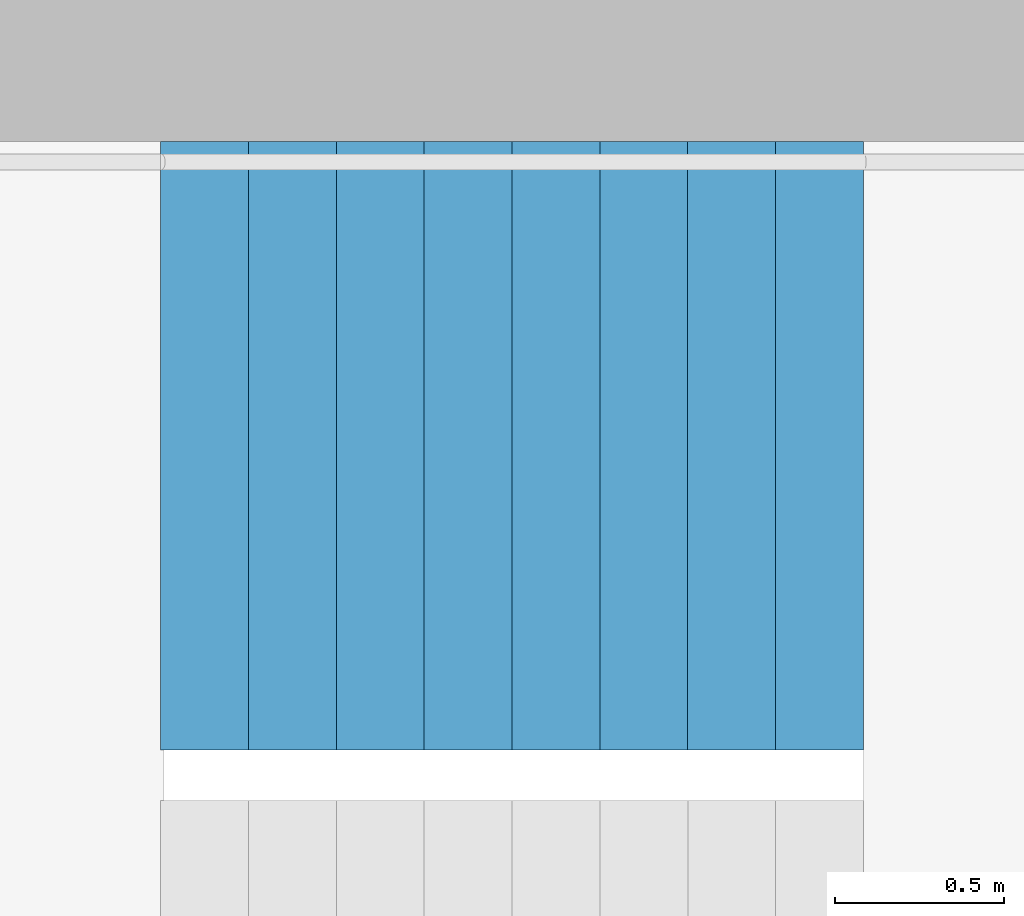
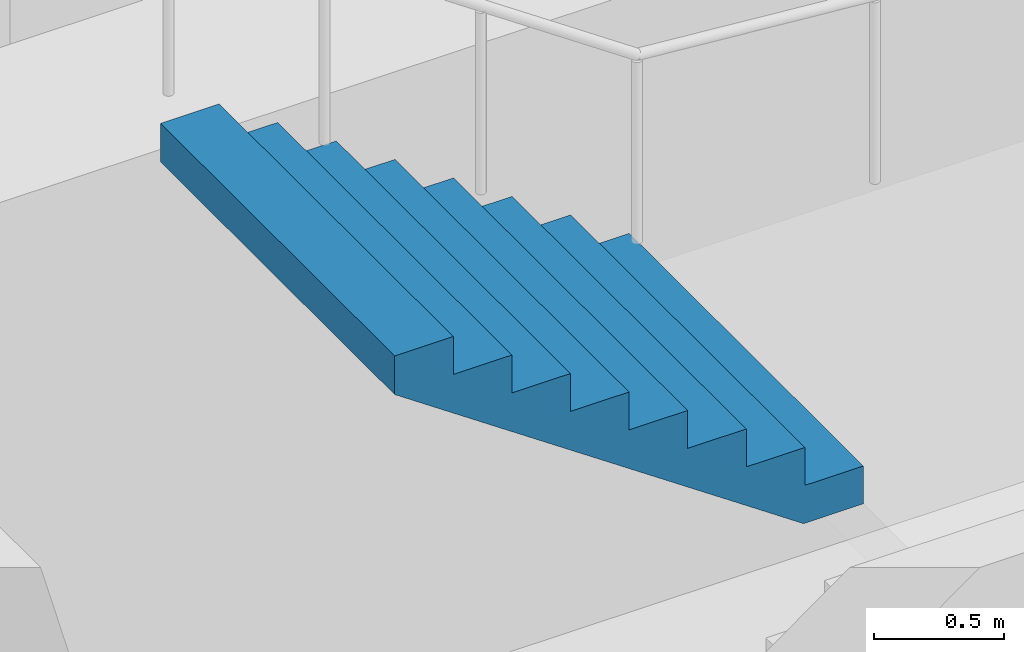
# One storey, part 24 of 29: 1 stair flight, 1 element without a shape of its own.
"""IFC4 building model written with IfcOpenShell, lengths in metres."""

from ifc_helpers import new_model, si_unit, direction, frame, origin, place, context, subcontext, project, spatial, triangles, material, type_object, element, aggregate, save


model = new_model("IFC4")

# Units and contexts
model_context = context("Model", 3, precision=1e-05, world=origin(), true_north=direction((0.0, 1.0)))
body_context = subcontext(model_context, "Body", "Model", "MODEL_VIEW")
ifc_project = project(units=[si_unit("LENGTHUNIT", "METRE"), si_unit("AREAUNIT", "SQUARE_METRE"), si_unit("VOLUMEUNIT", "CUBIC_METRE"), si_unit("PLANEANGLEUNIT", "RADIAN"), si_unit("MASSUNIT", "GRAM", prefix="KILO")], contexts=[model_context])

# Site, building, storey
site_placement = place(None, origin())
site = spatial("IfcSite", under=ifc_project, at=site_placement, CompositionType="ELEMENT")
building_placement = place(site_placement, origin())
building = spatial("IfcBuilding", under=site, at=building_placement, Name="Hakoniwa Tower and Hamabe Station Hall", CompositionType="ELEMENT")
storey_placement = place(building_placement, frame((0.0, 0.0, 117.0)))
storey = spatial("IfcBuildingStorey", under=building, at=storey_placement, Name="L33", CompositionType="ELEMENT", Elevation=117.0)

# Stair, stair flight
ifc_material_1 = material(Name="Concrete C40", Category="concrete")
stair_type = type_object("IfcStairType", Name="ESCAPE STAIR 1800", PredefinedType="HALF_TURN_STAIR", material=ifc_material_1)
stair_placement = place(storey_placement, origin())
stair = element("IfcStair", 1, at=stair_placement, inside=storey, type_object=stair_type, Name="Escape stair ST-1 L33", PredefinedType="HALF_TURN_STAIR")
ifc_material_2 = material(Name="Concrete C40", Category="concrete")
stair_flight_type = type_object("IfcStairFlightType", Name="STAIR FLIGHT 1800", PredefinedType="STRAIGHT", material=ifc_material_2)
stair_flight_placement = place(storey_placement, frame((-22.320068359375, 6.60009765625, 1.60009765625), z_axis=(0.0, 0.0, 1.0), x_axis=(-1.0, 0.0, 0.0)))
stair_flight = element("IfcStairFlight", 2, at=stair_flight_placement, type_object=stair_flight_type, Name="ST-1 flight 2", NumberOfRisers=9, NumberOfTreads=8, PredefinedType="STRAIGHT", RiserHeight=0.177777778, TreadLength=0.26, context=body_context, shape_type="Tessellation", body=[
    triangles([(0.0, 0.89990234375, 0.0), (0.260009765625, 0.89990234375, 0.0), (0.265625, 0.89990234375, 0.0), (0.52001953125, 0.89990234375, 0.174072265625), (0.780029296875, 0.89990234375, 0.351806640625), (1.0400390625, 0.89990234375, 0.529541015625), (1.300048828125, 0.89990234375, 0.707275390625), (1.56005859375, 0.89990234375, 0.885009765625), (1.820068359375, 0.89990234375, 1.062744140625), (2.080078125, 0.89990234375, 1.24072265625), (2.080078125, 0.89990234375, 1.422119140625), (1.820068359375, 0.89990234375, 1.422119140625), (1.820068359375, 0.89990234375, 1.244384765625), (1.56005859375, 0.89990234375, 1.244384765625), (1.56005859375, 0.89990234375, 1.066650390625), (1.300048828125, 0.89990234375, 1.066650390625), (1.300048828125, 0.89990234375, 0.888916015625), (1.0400390625, 0.89990234375, 0.888916015625), (1.0400390625, 0.89990234375, 0.711181640625), (0.780029296875, 0.89990234375, 0.711181640625), (0.780029296875, 0.89990234375, 0.533447265625), (0.52001953125, 0.89990234375, 0.533447265625), (0.52001953125, 0.89990234375, 0.35546875), (0.265625, 0.89990234375, 0.35546875), (0.260009765625, 0.89990234375, 0.35546875), (0.260009765625, 0.89990234375, 0.177734375), (0.0, 0.89990234375, 0.177734375), (0.0, 0.06005859375, 0.0), (0.260009765625, 0.06005859375, 0.0), (0.265625, 0.06005859375, 0.0), (0.52001953125, 0.06005859375, 0.174072265625), (0.780029296875, 0.06005859375, 0.351806640625), (1.0400390625, 0.06005859375, 0.529541015625), (1.300048828125, 0.06005859375, 0.707275390625), (1.56005859375, 0.06005859375, 0.885009765625), (1.820068359375, 0.06005859375, 1.062744140625), (2.080078125, 0.06005859375, 1.24072265625), (2.080078125, 0.06005859375, 1.422119140625), (1.820068359375, 0.06005859375, 1.422119140625), (1.820068359375, 0.06005859375, 1.244384765625), (1.56005859375, 0.06005859375, 1.244384765625), (1.56005859375, 0.06005859375, 1.066650390625), (1.300048828125, 0.06005859375, 1.066650390625), (1.300048828125, 0.06005859375, 0.888916015625), (1.0400390625, 0.06005859375, 0.888916015625), (1.0400390625, 0.06005859375, 0.711181640625), (0.780029296875, 0.06005859375, 0.711181640625), (0.780029296875, 0.06005859375, 0.533447265625), (0.52001953125, 0.06005859375, 0.533447265625), (0.52001953125, 0.06005859375, 0.35546875), (0.265625, 0.06005859375, 0.35546875), (0.260009765625, 0.06005859375, 0.35546875), (0.260009765625, 0.06005859375, 0.177734375), (0.0, 0.06005859375, 0.177734375), (0.0, 0.04296875, 0.0), (0.260009765625, 0.04296875, 0.0), (0.265625, 0.04296875, 0.0), (0.52001953125, 0.04296875, 0.174072265625), (0.780029296875, 0.04296875, 0.351806640625), (1.0400390625, 0.04296875, 0.529541015625), (1.300048828125, 0.04296875, 0.707275390625), (1.56005859375, 0.04296875, 0.885009765625), (1.820068359375, 0.04296875, 1.062744140625), (2.080078125, 0.04296875, 1.24072265625), (2.080078125, 0.04296875, 1.422119140625), (1.820068359375, 0.04296875, 1.422119140625), (1.820068359375, 0.04296875, 1.244384765625), (1.56005859375, 0.04296875, 1.244384765625), (1.56005859375, 0.04296875, 1.066650390625), (1.300048828125, 0.04296875, 1.066650390625), (1.300048828125, 0.04296875, 0.888916015625), (1.0400390625, 0.04296875, 0.888916015625), (1.0400390625, 0.04296875, 0.711181640625), (0.780029296875, 0.04296875, 0.711181640625), (0.780029296875, 0.04296875, 0.533447265625), (0.52001953125, 0.04296875, 0.533447265625), (0.52001953125, 0.04296875, 0.35546875), (0.265625, 0.04296875, 0.35546875), (0.260009765625, 0.04296875, 0.35546875), (0.260009765625, 0.04296875, 0.177734375), (0.0, 0.04296875, 0.177734375), (0.0, 0.025634765625, 0.0), (0.260009765625, 0.025634765625, 0.0), (0.265625, 0.025634765625, 0.0), (0.52001953125, 0.025634765625, 0.174072265625), (0.780029296875, 0.025634765625, 0.351806640625), (1.0400390625, 0.025634765625, 0.529541015625), (1.300048828125, 0.025634765625, 0.707275390625), (1.56005859375, 0.025634765625, 0.885009765625), (1.820068359375, 0.025634765625, 1.062744140625), (2.080078125, 0.025634765625, 1.24072265625), (2.080078125, 0.025634765625, 1.422119140625), (1.820068359375, 0.025634765625, 1.422119140625), (1.820068359375, 0.025634765625, 1.244384765625), (1.56005859375, 0.025634765625, 1.244384765625), (1.56005859375, 0.025634765625, 1.066650390625), (1.300048828125, 0.025634765625, 1.066650390625), (1.300048828125, 0.025634765625, 0.888916015625), (1.0400390625, 0.025634765625, 0.888916015625), (1.0400390625, 0.025634765625, 0.711181640625), (0.780029296875, 0.025634765625, 0.711181640625), (0.780029296875, 0.025634765625, 0.533447265625), (0.52001953125, 0.025634765625, 0.533447265625), (0.52001953125, 0.025634765625, 0.35546875), (0.265625, 0.025634765625, 0.35546875), (0.260009765625, 0.025634765625, 0.35546875), (0.260009765625, 0.025634765625, 0.177734375), (0.0, 0.025634765625, 0.177734375), (0.0, 0.008544921875, 0.0), (0.260009765625, 0.008544921875, 0.0), (0.265625, 0.008544921875, 0.0), (0.52001953125, 0.008544921875, 0.174072265625), (0.780029296875, 0.008544921875, 0.351806640625), (1.0400390625, 0.008544921875, 0.529541015625), (1.300048828125, 0.008544921875, 0.707275390625), (1.56005859375, 0.008544921875, 0.885009765625), (1.820068359375, 0.008544921875, 1.062744140625), (2.080078125, 0.008544921875, 1.24072265625), (2.080078125, 0.008544921875, 1.422119140625), (1.820068359375, 0.008544921875, 1.422119140625), (1.820068359375, 0.008544921875, 1.244384765625), (1.56005859375, 0.008544921875, 1.244384765625), (1.56005859375, 0.008544921875, 1.066650390625), (1.300048828125, 0.008544921875, 1.066650390625), (1.300048828125, 0.008544921875, 0.888916015625), (1.0400390625, 0.008544921875, 0.888916015625), (1.0400390625, 0.008544921875, 0.711181640625), (0.780029296875, 0.008544921875, 0.711181640625), (0.780029296875, 0.008544921875, 0.533447265625), (0.52001953125, 0.008544921875, 0.533447265625), (0.52001953125, 0.008544921875, 0.35546875), (0.265625, 0.008544921875, 0.35546875), (0.260009765625, 0.008544921875, 0.35546875), (0.260009765625, 0.008544921875, 0.177734375), (0.0, 0.008544921875, 0.177734375), (0.0, -0.008544921875, 0.0), (0.260009765625, -0.008544921875, 0.0), (0.265625, -0.008544921875, 0.0), (0.52001953125, -0.008544921875, 0.174072265625), (0.780029296875, -0.008544921875, 0.351806640625), (1.0400390625, -0.008544921875, 0.529541015625), (1.300048828125, -0.008544921875, 0.707275390625), (1.56005859375, -0.008544921875, 0.885009765625), (1.820068359375, -0.008544921875, 1.062744140625), (2.080078125, -0.008544921875, 1.24072265625), (2.080078125, -0.008544921875, 1.422119140625), (1.820068359375, -0.008544921875, 1.422119140625), (1.820068359375, -0.008544921875, 1.244384765625), (1.56005859375, -0.008544921875, 1.244384765625), (1.56005859375, -0.008544921875, 1.066650390625), (1.300048828125, -0.008544921875, 1.066650390625), (1.300048828125, -0.008544921875, 0.888916015625), (1.0400390625, -0.008544921875, 0.888916015625), (1.0400390625, -0.008544921875, 0.711181640625), (0.780029296875, -0.008544921875, 0.711181640625), (0.780029296875, -0.008544921875, 0.533447265625), (0.52001953125, -0.008544921875, 0.533447265625), (0.52001953125, -0.008544921875, 0.35546875), (0.265625, -0.008544921875, 0.35546875), (0.260009765625, -0.008544921875, 0.35546875), (0.260009765625, -0.008544921875, 0.177734375), (0.0, -0.008544921875, 0.177734375), (0.0, -0.025634765625, 0.0), (0.260009765625, -0.025634765625, 0.0), (0.265625, -0.025634765625, 0.0), (0.52001953125, -0.025634765625, 0.174072265625), (0.780029296875, -0.025634765625, 0.351806640625), (1.0400390625, -0.025634765625, 0.529541015625), (1.300048828125, -0.025634765625, 0.707275390625), (1.56005859375, -0.025634765625, 0.885009765625), (1.820068359375, -0.025634765625, 1.062744140625), (2.080078125, -0.025634765625, 1.24072265625), (2.080078125, -0.025634765625, 1.422119140625), (1.820068359375, -0.025634765625, 1.422119140625), (1.820068359375, -0.025634765625, 1.244384765625), (1.56005859375, -0.025634765625, 1.244384765625), (1.56005859375, -0.025634765625, 1.066650390625), (1.300048828125, -0.025634765625, 1.066650390625), (1.300048828125, -0.025634765625, 0.888916015625), (1.0400390625, -0.025634765625, 0.888916015625), (1.0400390625, -0.025634765625, 0.711181640625), (0.780029296875, -0.025634765625, 0.711181640625), (0.780029296875, -0.025634765625, 0.533447265625), (0.52001953125, -0.025634765625, 0.533447265625), (0.52001953125, -0.025634765625, 0.35546875), (0.265625, -0.025634765625, 0.35546875), (0.260009765625, -0.025634765625, 0.35546875), (0.260009765625, -0.025634765625, 0.177734375), (0.0, -0.025634765625, 0.177734375), (0.0, -0.04296875, 0.0), (0.260009765625, -0.04296875, 0.0), (0.265625, -0.04296875, 0.0), (0.52001953125, -0.04296875, 0.174072265625), (0.780029296875, -0.04296875, 0.351806640625), (1.0400390625, -0.04296875, 0.529541015625), (1.300048828125, -0.04296875, 0.707275390625), (1.56005859375, -0.04296875, 0.885009765625), (1.820068359375, -0.04296875, 1.062744140625), (2.080078125, -0.04296875, 1.24072265625), (2.080078125, -0.04296875, 1.422119140625), (1.820068359375, -0.04296875, 1.422119140625), (1.820068359375, -0.04296875, 1.244384765625), (1.56005859375, -0.04296875, 1.244384765625), (1.56005859375, -0.04296875, 1.066650390625), (1.300048828125, -0.04296875, 1.066650390625), (1.300048828125, -0.04296875, 0.888916015625), (1.0400390625, -0.04296875, 0.888916015625), (1.0400390625, -0.04296875, 0.711181640625), (0.780029296875, -0.04296875, 0.711181640625), (0.780029296875, -0.04296875, 0.533447265625), (0.52001953125, -0.04296875, 0.533447265625), (0.52001953125, -0.04296875, 0.35546875), (0.265625, -0.04296875, 0.35546875), (0.260009765625, -0.04296875, 0.35546875), (0.260009765625, -0.04296875, 0.177734375), (0.0, -0.04296875, 0.177734375), (0.0, -0.06005859375, 0.0), (0.260009765625, -0.06005859375, 0.0), (0.265625, -0.06005859375, 0.0), (0.52001953125, -0.06005859375, 0.174072265625), (0.780029296875, -0.06005859375, 0.351806640625), (1.0400390625, -0.06005859375, 0.529541015625), (1.300048828125, -0.06005859375, 0.707275390625), (1.56005859375, -0.06005859375, 0.885009765625), (1.820068359375, -0.06005859375, 1.062744140625), (2.080078125, -0.06005859375, 1.24072265625), (2.080078125, -0.06005859375, 1.422119140625), (1.820068359375, -0.06005859375, 1.422119140625), (1.820068359375, -0.06005859375, 1.244384765625), (1.56005859375, -0.06005859375, 1.244384765625), (1.56005859375, -0.06005859375, 1.066650390625), (1.300048828125, -0.06005859375, 1.066650390625), (1.300048828125, -0.06005859375, 0.888916015625), (1.0400390625, -0.06005859375, 0.888916015625), (1.0400390625, -0.06005859375, 0.711181640625), (0.780029296875, -0.06005859375, 0.711181640625), (0.780029296875, -0.06005859375, 0.533447265625), (0.52001953125, -0.06005859375, 0.533447265625), (0.52001953125, -0.06005859375, 0.35546875), (0.265625, -0.06005859375, 0.35546875), (0.260009765625, -0.06005859375, 0.35546875), (0.260009765625, -0.06005859375, 0.177734375), (0.0, -0.06005859375, 0.177734375), (0.0, -0.89990234375, 0.0), (0.260009765625, -0.89990234375, 0.0), (0.265625, -0.89990234375, 0.0), (0.52001953125, -0.89990234375, 0.174072265625), (0.780029296875, -0.89990234375, 0.351806640625), (1.0400390625, -0.89990234375, 0.529541015625), (1.300048828125, -0.89990234375, 0.707275390625), (1.56005859375, -0.89990234375, 0.885009765625), (1.820068359375, -0.89990234375, 1.062744140625), (2.080078125, -0.89990234375, 1.24072265625), (2.080078125, -0.89990234375, 1.422119140625), (1.820068359375, -0.89990234375, 1.422119140625), (1.820068359375, -0.89990234375, 1.244384765625), (1.56005859375, -0.89990234375, 1.244384765625), (1.56005859375, -0.89990234375, 1.066650390625), (1.300048828125, -0.89990234375, 1.066650390625), (1.300048828125, -0.89990234375, 0.888916015625), (1.0400390625, -0.89990234375, 0.888916015625), (1.0400390625, -0.89990234375, 0.711181640625), (0.780029296875, -0.89990234375, 0.711181640625), (0.780029296875, -0.89990234375, 0.533447265625), (0.52001953125, -0.89990234375, 0.533447265625), (0.52001953125, -0.89990234375, 0.35546875), (0.265625, -0.89990234375, 0.35546875), (0.260009765625, -0.89990234375, 0.35546875), (0.260009765625, -0.89990234375, 0.177734375), (0.0, -0.89990234375, 0.177734375)], [[2, 27, 26], [245, 269, 270], [2, 1, 27], [245, 270, 244], [3, 25, 24], [246, 267, 268], [3, 26, 25], [246, 268, 269], [3, 2, 26], [246, 269, 245], [4, 24, 23], [247, 266, 267], [4, 3, 24], [247, 267, 246], [5, 22, 21], [248, 264, 265], [5, 23, 22], [248, 265, 266], [5, 4, 23], [248, 266, 247], [6, 20, 19], [249, 262, 263], [6, 21, 20], [249, 263, 264], [6, 5, 21], [249, 264, 248], [7, 18, 17], [250, 260, 261], [7, 19, 18], [250, 261, 262], [7, 6, 19], [250, 262, 249], [8, 16, 15], [251, 258, 259], [8, 17, 16], [251, 259, 260], [8, 7, 17], [251, 260, 250], [9, 14, 13], [252, 256, 257], [9, 15, 14], [252, 257, 258], [9, 8, 15], [252, 258, 251], [10, 12, 11], [253, 254, 255], [10, 13, 12], [253, 255, 256], [10, 9, 13], [253, 256, 252], [1, 2, 29], [1, 29, 28], [28, 29, 56], [28, 56, 55], [55, 56, 83], [55, 83, 82], [82, 83, 110], [82, 110, 109], [109, 110, 137], [109, 137, 136], [136, 137, 164], [136, 164, 163], [163, 164, 191], [163, 191, 190], [190, 191, 218], [190, 218, 217], [217, 218, 245], [217, 245, 244], [2, 3, 30], [2, 30, 29], [29, 30, 57], [29, 57, 56], [56, 57, 84], [56, 84, 83], [83, 84, 111], [83, 111, 110], [110, 111, 138], [110, 138, 137], [137, 138, 165], [137, 165, 164], [164, 165, 192], [164, 192, 191], [191, 192, 219], [191, 219, 218], [218, 219, 246], [218, 246, 245], [3, 4, 31], [3, 31, 30], [30, 31, 58], [30, 58, 57], [57, 58, 85], [57, 85, 84], [84, 85, 112], [84, 112, 111], [111, 112, 139], [111, 139, 138], [138, 139, 166], [138, 166, 165], [165, 166, 193], [165, 193, 192], [192, 193, 220], [192, 220, 219], [219, 220, 247], [219, 247, 246], [4, 5, 32], [4, 32, 31], [31, 32, 59], [31, 59, 58], [58, 59, 86], [58, 86, 85], [85, 86, 113], [85, 113, 112], [112, 113, 140], [112, 140, 139], [139, 140, 167], [139, 167, 166], [166, 167, 194], [166, 194, 193], [193, 194, 221], [193, 221, 220], [220, 221, 248], [220, 248, 247], [5, 6, 33], [5, 33, 32], [32, 33, 60], [32, 60, 59], [59, 60, 87], [59, 87, 86], [86, 87, 114], [86, 114, 113], [113, 114, 141], [113, 141, 140], [140, 141, 168], [140, 168, 167], [167, 168, 195], [167, 195, 194], [194, 195, 222], [194, 222, 221], [221, 222, 249], [221, 249, 248], [6, 7, 34], [6, 34, 33], [33, 34, 61], [33, 61, 60], [60, 61, 88], [60, 88, 87], [87, 88, 115], [87, 115, 114], [114, 115, 142], [114, 142, 141], [141, 142, 169], [141, 169, 168], [168, 169, 196], [168, 196, 195], [195, 196, 223], [195, 223, 222], [222, 223, 250], [222, 250, 249], [7, 8, 35], [7, 35, 34], [34, 35, 62], [34, 62, 61], [61, 62, 89], [61, 89, 88], [88, 89, 116], [88, 116, 115], [115, 116, 143], [115, 143, 142], [142, 143, 170], [142, 170, 169], [169, 170, 197], [169, 197, 196], [196, 197, 224], [196, 224, 223], [223, 224, 251], [223, 251, 250], [8, 9, 36], [8, 36, 35], [35, 36, 63], [35, 63, 62], [62, 63, 90], [62, 90, 89], [89, 90, 117], [89, 117, 116], [116, 117, 144], [116, 144, 143], [143, 144, 171], [143, 171, 170], [170, 171, 198], [170, 198, 197], [197, 198, 225], [197, 225, 224], [224, 225, 252], [224, 252, 251], [9, 10, 37], [9, 37, 36], [36, 37, 64], [36, 64, 63], [63, 64, 91], [63, 91, 90], [90, 91, 118], [90, 118, 117], [117, 118, 145], [117, 145, 144], [144, 145, 172], [144, 172, 171], [171, 172, 199], [171, 199, 198], [198, 199, 226], [198, 226, 225], [225, 226, 253], [225, 253, 252], [10, 11, 38], [10, 38, 37], [37, 38, 65], [37, 65, 64], [64, 65, 92], [64, 92, 91], [91, 92, 119], [91, 119, 118], [118, 119, 146], [118, 146, 145], [145, 146, 173], [145, 173, 172], [172, 173, 200], [172, 200, 199], [199, 200, 227], [199, 227, 226], [226, 227, 254], [226, 254, 253], [11, 12, 39], [11, 39, 38], [38, 39, 66], [38, 66, 65], [65, 66, 93], [65, 93, 92], [92, 93, 120], [92, 120, 119], [119, 120, 147], [119, 147, 146], [146, 147, 174], [146, 174, 173], [173, 174, 201], [173, 201, 200], [200, 201, 228], [200, 228, 227], [227, 228, 255], [227, 255, 254], [12, 13, 40], [12, 40, 39], [39, 40, 67], [39, 67, 66], [66, 67, 94], [66, 94, 93], [93, 94, 121], [93, 121, 120], [120, 121, 148], [120, 148, 147], [147, 148, 175], [147, 175, 174], [174, 175, 202], [174, 202, 201], [201, 202, 229], [201, 229, 228], [228, 229, 256], [228, 256, 255], [13, 14, 41], [13, 41, 40], [40, 41, 68], [40, 68, 67], [67, 68, 95], [67, 95, 94], [94, 95, 122], [94, 122, 121], [121, 122, 149], [121, 149, 148], [148, 149, 176], [148, 176, 175], [175, 176, 203], [175, 203, 202], [202, 203, 230], [202, 230, 229], [229, 230, 257], [229, 257, 256], [14, 15, 42], [14, 42, 41], [41, 42, 69], [41, 69, 68], [68, 69, 96], [68, 96, 95], [95, 96, 123], [95, 123, 122], [122, 123, 150], [122, 150, 149], [149, 150, 177], [149, 177, 176], [176, 177, 204], [176, 204, 203], [203, 204, 231], [203, 231, 230], [230, 231, 258], [230, 258, 257], [15, 16, 43], [15, 43, 42], [42, 43, 70], [42, 70, 69], [69, 70, 97], [69, 97, 96], [96, 97, 124], [96, 124, 123], [123, 124, 151], [123, 151, 150], [150, 151, 178], [150, 178, 177], [177, 178, 205], [177, 205, 204], [204, 205, 232], [204, 232, 231], [231, 232, 259], [231, 259, 258], [16, 17, 44], [16, 44, 43], [43, 44, 71], [43, 71, 70], [70, 71, 98], [70, 98, 97], [97, 98, 125], [97, 125, 124], [124, 125, 152], [124, 152, 151], [151, 152, 179], [151, 179, 178], [178, 179, 206], [178, 206, 205], [205, 206, 233], [205, 233, 232], [232, 233, 260], [232, 260, 259], [17, 18, 45], [17, 45, 44], [44, 45, 72], [44, 72, 71], [71, 72, 99], [71, 99, 98], [98, 99, 126], [98, 126, 125], [125, 126, 153], [125, 153, 152], [152, 153, 180], [152, 180, 179], [179, 180, 207], [179, 207, 206], [206, 207, 234], [206, 234, 233], [233, 234, 261], [233, 261, 260], [18, 19, 46], [18, 46, 45], [45, 46, 73], [45, 73, 72], [72, 73, 100], [72, 100, 99], [99, 100, 127], [99, 127, 126], [126, 127, 154], [126, 154, 153], [153, 154, 181], [153, 181, 180], [180, 181, 208], [180, 208, 207], [207, 208, 235], [207, 235, 234], [234, 235, 262], [234, 262, 261], [19, 20, 47], [19, 47, 46], [46, 47, 74], [46, 74, 73], [73, 74, 101], [73, 101, 100], [100, 101, 128], [100, 128, 127], [127, 128, 155], [127, 155, 154], [154, 155, 182], [154, 182, 181], [181, 182, 209], [181, 209, 208], [208, 209, 236], [208, 236, 235], [235, 236, 263], [235, 263, 262], [20, 21, 48], [20, 48, 47], [47, 48, 75], [47, 75, 74], [74, 75, 102], [74, 102, 101], [101, 102, 129], [101, 129, 128], [128, 129, 156], [128, 156, 155], [155, 156, 183], [155, 183, 182], [182, 183, 210], [182, 210, 209], [209, 210, 237], [209, 237, 236], [236, 237, 264], [236, 264, 263], [21, 22, 49], [21, 49, 48], [48, 49, 76], [48, 76, 75], [75, 76, 103], [75, 103, 102], [102, 103, 130], [102, 130, 129], [129, 130, 157], [129, 157, 156], [156, 157, 184], [156, 184, 183], [183, 184, 211], [183, 211, 210], [210, 211, 238], [210, 238, 237], [237, 238, 265], [237, 265, 264], [22, 23, 50], [22, 50, 49], [49, 50, 77], [49, 77, 76], [76, 77, 104], [76, 104, 103], [103, 104, 131], [103, 131, 130], [130, 131, 158], [130, 158, 157], [157, 158, 185], [157, 185, 184], [184, 185, 212], [184, 212, 211], [211, 212, 239], [211, 239, 238], [238, 239, 266], [238, 266, 265], [23, 24, 51], [23, 51, 50], [50, 51, 78], [50, 78, 77], [77, 78, 105], [77, 105, 104], [104, 105, 132], [104, 132, 131], [131, 132, 159], [131, 159, 158], [158, 159, 186], [158, 186, 185], [185, 186, 213], [185, 213, 212], [212, 213, 240], [212, 240, 239], [239, 240, 267], [239, 267, 266], [24, 25, 52], [24, 52, 51], [51, 52, 79], [51, 79, 78], [78, 79, 106], [78, 106, 105], [105, 106, 133], [105, 133, 132], [132, 133, 160], [132, 160, 159], [159, 160, 187], [159, 187, 186], [186, 187, 214], [186, 214, 213], [213, 214, 241], [213, 241, 240], [240, 241, 268], [240, 268, 267], [25, 26, 53], [25, 53, 52], [52, 53, 80], [52, 80, 79], [79, 80, 107], [79, 107, 106], [106, 107, 134], [106, 134, 133], [133, 134, 161], [133, 161, 160], [160, 161, 188], [160, 188, 187], [187, 188, 215], [187, 215, 214], [214, 215, 242], [214, 242, 241], [241, 242, 269], [241, 269, 268], [26, 27, 54], [26, 54, 53], [53, 54, 81], [53, 81, 80], [80, 81, 108], [80, 108, 107], [107, 108, 135], [107, 135, 134], [134, 135, 162], [134, 162, 161], [161, 162, 189], [161, 189, 188], [188, 189, 216], [188, 216, 215], [215, 216, 243], [215, 243, 242], [242, 243, 270], [242, 270, 269], [27, 1, 28], [27, 28, 54], [54, 28, 55], [54, 55, 81], [81, 55, 82], [81, 82, 108], [108, 82, 109], [108, 109, 135], [135, 109, 136], [135, 136, 162], [162, 136, 163], [162, 163, 189], [189, 163, 190], [189, 190, 216], [216, 190, 217], [216, 217, 243], [243, 217, 244], [243, 244, 270]], closed=True),
])
aggregate(stair, [stair_flight])

save(model, "model.ifc")
